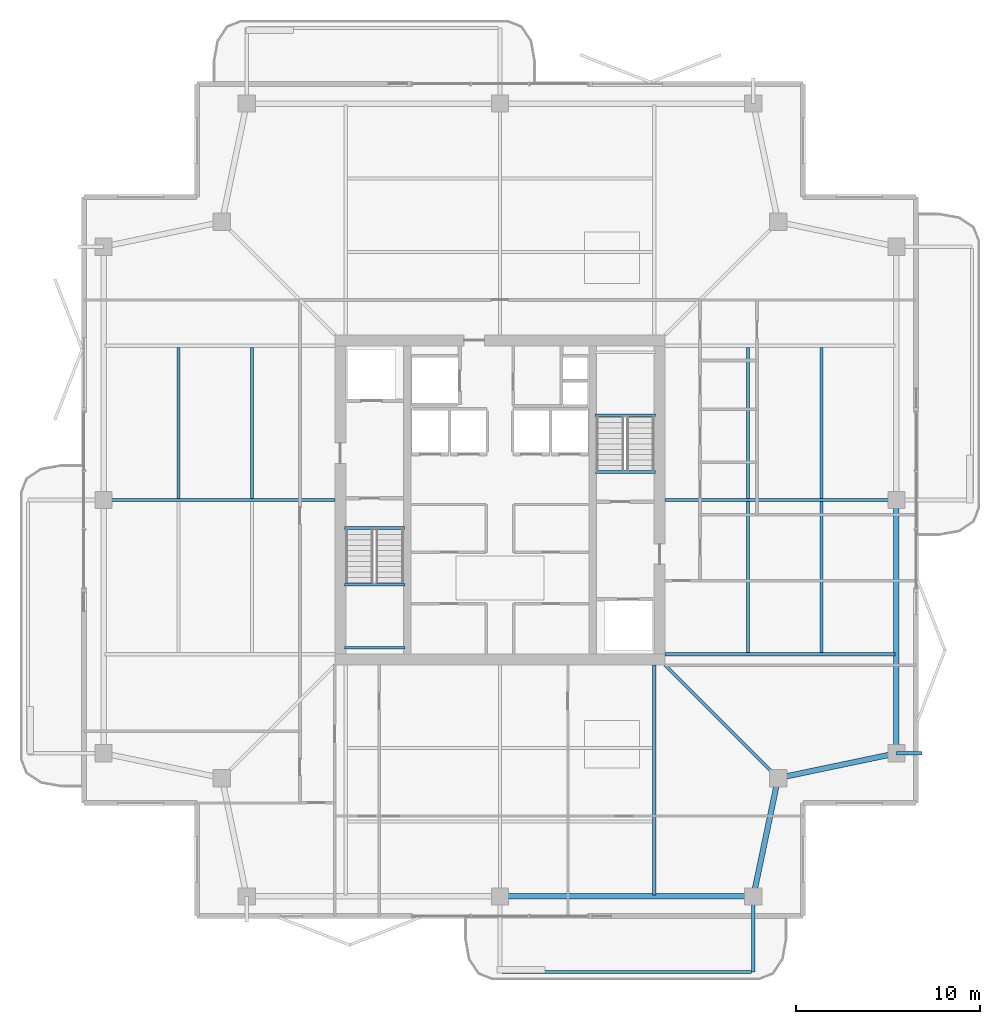
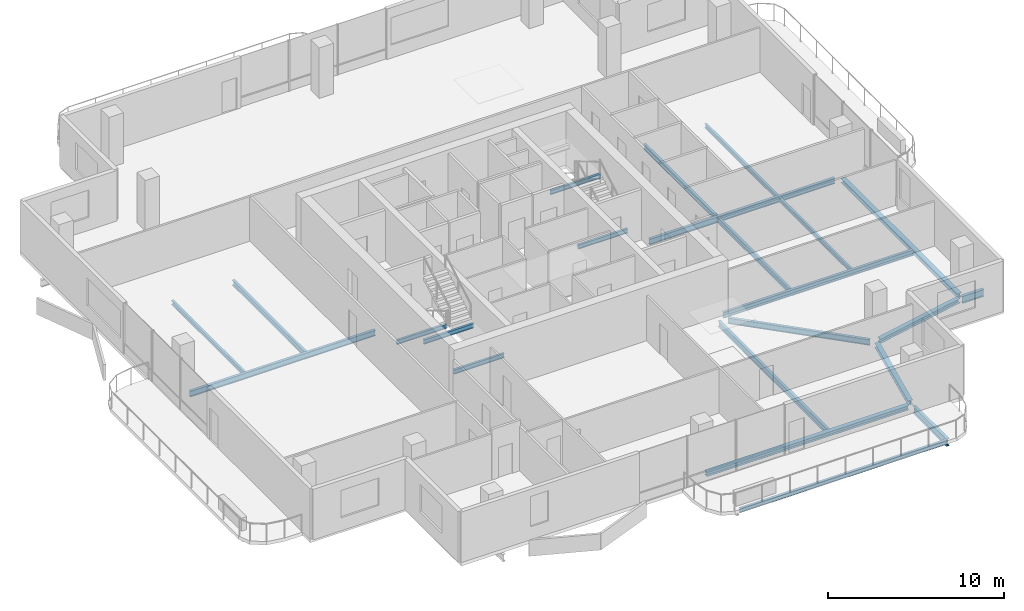
# One storey, part 7 of 18: 23 beams.
"""IFC4 building model written with IfcOpenShell, lengths in metres."""

from ifc_helpers import new_model, si_unit, direction, frame, origin, origin_2d, place, context, subcontext, project, spatial, i_section, extrude, material, material_profile, profile_set, type_object, element, save


model = new_model("IFC4")

# Units and contexts
model_context = context("Model", 3, precision=1e-05, world=origin(), true_north=direction((0.0, 1.0)))
body_context = subcontext(model_context, "Body", "Model", "MODEL_VIEW")
ifc_project = project(units=[si_unit("LENGTHUNIT", "METRE"), si_unit("AREAUNIT", "SQUARE_METRE"), si_unit("VOLUMEUNIT", "CUBIC_METRE"), si_unit("PLANEANGLEUNIT", "RADIAN"), si_unit("MASSUNIT", "GRAM", prefix="KILO")], contexts=[model_context])

# Site, building, storey
site_placement = place(None, origin())
site = spatial("IfcSite", under=ifc_project, at=site_placement, CompositionType="ELEMENT")
building_placement = place(site_placement, origin())
building = spatial("IfcBuilding", under=site, at=building_placement, Name="Belovzor Exchange Tower", CompositionType="ELEMENT")
storey_placement = place(building_placement, frame((0.0, 0.0, 310.5)))
storey = spatial("IfcBuildingStorey", under=building, at=storey_placement, Name="L77", CompositionType="ELEMENT", Elevation=310.5)

# Beams
ifc_material_1 = material(Name="Steel S355", Category="steel")
ifc_material_profile_1 = material_profile(ifc_material_1, i_section(OverallWidth=0.199951171875, OverallDepth=0.5, WebThickness=0.01025390625, FlangeThickness=0.01611328125, at=origin_2d()))
ifc_profile_set_1 = profile_set([ifc_material_profile_1], Name="Steel S355")
beam_type_1 = type_object("IfcBeamType", Name="Planted Balcony Cantilever Beam IPE 500", PredefinedType="BEAM", material=ifc_profile_set_1)
beam_1_placement = place(storey_placement, frame((42.60009765625, 6.93896484375, -0.489990234375), z_axis=(0.0, -1.0, 0.0), x_axis=(1.0, 0.0, 0.0)))
element("IfcBeam", 1, at=beam_1_placement, inside=storey, type_object=beam_type_1, Name="BC-500 Planted Balcony Cantilever Beam IPE 500", PredefinedType="BEAM", context=body_context, shape_type="SweptSolid", body=[
    extrude(i_section(OverallWidth=0.199951171875, OverallDepth=0.5, WebThickness=0.01025390625, FlangeThickness=0.01611328125, at=origin_2d()), origin(), (0.0, 0.0, 1.0), 3.849853515625),
])
beam_2_placement = place(storey_placement, frame((50.39990234375, 15.0, -0.489990234375), z_axis=(1.0, 0.0, 0.0), x_axis=(0.0, 1.0, 0.0)))
element("IfcBeam", 2, at=beam_2_placement, inside=storey, type_object=beam_type_1, Name="BC-500 Planted Balcony Cantilever Beam IPE 500", PredefinedType="BEAM", context=body_context, shape_type="SweptSolid", body=[
    extrude(i_section(OverallWidth=0.199951171875, OverallDepth=0.5, WebThickness=0.01025390625, FlangeThickness=0.01611328125, at=origin_2d()), origin(), (0.0, 0.0, 1.0), 1.400146484375),
])
ifc_material_2 = material(Name="Steel S355", Category="steel")
ifc_material_profile_2 = material_profile(ifc_material_2, i_section(OverallWidth=0.14990234375, OverallDepth=0.300048828125, WebThickness=0.007080078125, FlangeThickness=0.0107421875, at=origin_2d()))
ifc_profile_set_2 = profile_set([ifc_material_profile_2], Name="Steel S355")
beam_type_2 = type_object("IfcBeamType", Name="Planted Balcony Fascia Edge Beam IPE 300", PredefinedType="BEAM", material=ifc_profile_set_2)
beam_3_placement = place(storey_placement, frame((28.89990234375, 3.089111328125, -0.389892578125), z_axis=(1.0, 0.0, 0.0), x_axis=(0.0, 1.0, 0.0)))
element("IfcBeam", 3, at=beam_3_placement, inside=storey, type_object=beam_type_2, Name="BC-300 Planted Balcony Fascia Edge Beam IPE 300", PredefinedType="BEAM", context=body_context, shape_type="SweptSolid", body=[
    extrude(i_section(OverallWidth=0.14990234375, OverallDepth=0.300048828125, WebThickness=0.007080078125, FlangeThickness=0.0107421875, at=origin_2d()), origin(), (0.0, 0.0, 1.0), 13.60009765625),
])
ifc_material_3 = material(Name="Steel S355", Category="steel")
ifc_material_profile_3 = material_profile(ifc_material_3, i_section(OverallWidth=0.169921875, OverallDepth=0.360107421875, WebThickness=0.008056640625, FlangeThickness=0.0126953125, at=origin_2d()))
ifc_profile_set_3 = profile_set([ifc_material_profile_3], Name="Steel S355")
beam_type_3 = type_object("IfcBeamType", Name="Secondary Infill Floor Joist IPE 360", PredefinedType="BEAM", material=ifc_profile_set_3)
beam_4_placement = place(storey_placement, frame((15.291015625, 28.889892578125, -0.419921875), z_axis=(0.0, 1.0, 0.0), x_axis=(-1.0, 0.0, 0.0)))
element("IfcBeam", 4, at=beam_4_placement, inside=storey, type_object=beam_type_3, Name="FJ-360 Secondary Infill Floor Joist IPE 360", PredefinedType="BEAM", context=body_context, shape_type="SweptSolid", body=[
    extrude(i_section(OverallWidth=0.169921875, OverallDepth=0.360107421875, WebThickness=0.008056640625, FlangeThickness=0.0126953125, at=origin_2d()), origin(), (0.0, 0.0, 1.0), 8.22021484375),
])
beam_5_placement = place(storey_placement, frame((42.30908203125, 20.489990234375, -0.419921875), z_axis=(0.0, 1.0, 0.0), x_axis=(-1.0, 0.0, 0.0)))
element("IfcBeam", 5, at=beam_5_placement, inside=storey, type_object=beam_type_3, Name="FJ-360 Secondary Infill Floor Joist IPE 360", PredefinedType="BEAM", context=body_context, shape_type="SweptSolid", body=[
    extrude(i_section(OverallWidth=0.169921875, OverallDepth=0.360107421875, WebThickness=0.008056640625, FlangeThickness=0.0126953125, at=origin_2d()), origin(), (0.0, 0.0, 1.0), 8.219970703125),
])
beam_6_placement = place(storey_placement, frame((42.30908203125, 28.889892578125, -0.419921875), z_axis=(0.0, 1.0, 0.0), x_axis=(-1.0, 0.0, 0.0)))
element("IfcBeam", 6, at=beam_6_placement, inside=storey, type_object=beam_type_3, Name="FJ-360 Secondary Infill Floor Joist IPE 360", PredefinedType="BEAM", context=body_context, shape_type="SweptSolid", body=[
    extrude(i_section(OverallWidth=0.169921875, OverallDepth=0.360107421875, WebThickness=0.008056640625, FlangeThickness=0.0126953125, at=origin_2d()), origin(), (0.0, 0.0, 1.0), 8.22021484375),
])
ifc_material_4 = material(Name="Steel S355", Category="steel")
ifc_material_profile_4 = material_profile(ifc_material_4, i_section(OverallWidth=0.14990234375, OverallDepth=0.300048828125, WebThickness=0.007080078125, FlangeThickness=0.0107421875, at=origin_2d()))
ifc_profile_set_4 = profile_set([ifc_material_profile_4], Name="Steel S355")
beam_type_4 = type_object("IfcBeamType", Name="Secondary Trim Floor Joist IPE 300", PredefinedType="BEAM", material=ifc_profile_set_4)
for number, where, z_axis, x_axis, name in (
    (7, (20.320068359375, 24.179931640625, 1.52490234375), (1.0, 0.0, 0.0), (0.0, 1.0, 0.0), "FJ-300 Secondary Trim Floor Joist IPE 300"),
    (8, (20.320068359375, 20.75, 1.52490234375), (1.0, 0.0, 0.0), (0.0, 1.0, 0.0), "FJ-300 Secondary Trim Floor Joist IPE 300"),
):
    element("IfcBeam", number, at=place(storey_placement, frame(where, z_axis=z_axis, x_axis=x_axis)), inside=storey, type_object=beam_type_4, Name=name, PredefinedType="BEAM", context=body_context, shape_type="SweptSolid", body=[
        extrude(i_section(OverallWidth=0.14990234375, OverallDepth=0.300048828125, WebThickness=0.007080078125, FlangeThickness=0.0107421875, at=origin_2d()), origin(), (0.0, 0.0, 1.0), 3.309814453125),
    ])
beam_7_placement = place(storey_placement, frame((20.340087890625, 27.280029296875, -0.389892578125), z_axis=(1.0, 0.0, 0.0), x_axis=(0.0, 1.0, 0.0)))
element("IfcBeam", 9, at=beam_7_placement, inside=storey, type_object=beam_type_4, Name="FJ-300 Secondary Trim Floor Joist IPE 300", PredefinedType="BEAM", context=body_context, shape_type="SweptSolid", body=[
    extrude(i_section(OverallWidth=0.14990234375, OverallDepth=0.300048828125, WebThickness=0.007080078125, FlangeThickness=0.0107421875, at=origin_2d()), origin(), (0.0, 0.0, 1.0), 3.27001953125),
])
beam_8_placement = place(storey_placement, frame((37.280029296875, 33.419921875, 1.52490234375), z_axis=(-1.0, 0.0, 0.0), x_axis=(0.0, -1.0, 0.0)))
element("IfcBeam", 10, at=beam_8_placement, inside=storey, type_object=beam_type_4, Name="FJ-300 Secondary Trim Floor Joist IPE 300", PredefinedType="BEAM", context=body_context, shape_type="SweptSolid", body=[
    extrude(i_section(OverallWidth=0.14990234375, OverallDepth=0.300048828125, WebThickness=0.007080078125, FlangeThickness=0.0107421875, at=origin_2d()), origin(), (0.0, 0.0, 1.0), 3.31005859375),
])
beam_9_placement = place(storey_placement, frame((37.260009765625, 30.320068359375, -0.389892578125), z_axis=(-1.0, 0.0, 0.0), x_axis=(0.0, -1.0, 0.0)))
element("IfcBeam", 11, at=beam_9_placement, inside=storey, type_object=beam_type_4, Name="FJ-300 Secondary Trim Floor Joist IPE 300", PredefinedType="BEAM", context=body_context, shape_type="SweptSolid", body=[
    extrude(i_section(OverallWidth=0.14990234375, OverallDepth=0.300048828125, WebThickness=0.007080078125, FlangeThickness=0.0107421875, at=origin_2d()), origin(), (0.0, 0.0, 1.0), 3.27001953125),
])
beam_10_placement = place(storey_placement, frame((11.282958984375, 28.889892578125, -0.389892578125), z_axis=(0.0, 1.0, 0.0), x_axis=(-1.0, 0.0, 0.0)))
element("IfcBeam", 12, at=beam_10_placement, inside=storey, type_object=beam_type_4, Name="FJ-300 Secondary Trim Floor Joist IPE 300", PredefinedType="BEAM", context=body_context, shape_type="SweptSolid", body=[
    extrude(i_section(OverallWidth=0.14990234375, OverallDepth=0.300048828125, WebThickness=0.007080078125, FlangeThickness=0.0107421875, at=origin_2d()), origin(), (0.0, 0.0, 1.0), 8.22021484375),
])
beam_11_placement = place(storey_placement, frame((46.31689453125, 20.489990234375, -0.389892578125), z_axis=(0.0, 1.0, 0.0), x_axis=(-1.0, 0.0, 0.0)))
element("IfcBeam", 13, at=beam_11_placement, inside=storey, type_object=beam_type_4, Name="FJ-300 Secondary Trim Floor Joist IPE 300", PredefinedType="BEAM", context=body_context, shape_type="SweptSolid", body=[
    extrude(i_section(OverallWidth=0.14990234375, OverallDepth=0.300048828125, WebThickness=0.007080078125, FlangeThickness=0.0107421875, at=origin_2d()), origin(), (0.0, 0.0, 1.0), 8.219970703125),
])
beam_12_placement = place(storey_placement, frame((46.31689453125, 28.889892578125, -0.389892578125), z_axis=(0.0, 1.0, 0.0), x_axis=(-1.0, 0.0, 0.0)))
element("IfcBeam", 14, at=beam_12_placement, inside=storey, type_object=beam_type_4, Name="FJ-300 Secondary Trim Floor Joist IPE 300", PredefinedType="BEAM", context=body_context, shape_type="SweptSolid", body=[
    extrude(i_section(OverallWidth=0.14990234375, OverallDepth=0.300048828125, WebThickness=0.007080078125, FlangeThickness=0.0107421875, at=origin_2d()), origin(), (0.0, 0.0, 1.0), 8.22021484375),
])
ifc_material_5 = material(Name="Steel S355", Category="steel")
ifc_material_profile_5 = material_profile(ifc_material_5, i_section(OverallWidth=0.179931640625, OverallDepth=0.39990234375, WebThickness=0.008544921875, FlangeThickness=0.013427734375, at=origin_2d()))
ifc_profile_set_5 = profile_set([ifc_material_profile_5], Name="Steel S355")
beam_type_5 = type_object("IfcBeamType", Name="Zone 5-6 Radial Composite Floor Beam IPE 400", PredefinedType="BEAM", material=ifc_profile_set_5)
beam_13_placement = place(storey_placement, frame((37.199951171875, 19.800048828125, -0.43994140625), z_axis=(0.0, -1.0, 0.0), x_axis=(1.0, 0.0, 0.0)))
element("IfcBeam", 15, at=beam_13_placement, inside=storey, type_object=beam_type_5, Name="FB-400 Zone 5-6 Radial Composite Floor Beam IPE 400", PredefinedType="BEAM", context=body_context, shape_type="SweptSolid", body=[
    extrude(i_section(OverallWidth=0.179931640625, OverallDepth=0.39990234375, WebThickness=0.008544921875, FlangeThickness=0.013427734375, at=origin_2d()), origin(), (0.0, 0.0, 1.0), 12.525146484375),
])
beam_14_placement = place(storey_placement, frame((19.800048828125, 28.800048828125, -0.43994140625), z_axis=(-1.0, 0.0, 0.0), x_axis=(0.0, -1.0, 0.0)))
element("IfcBeam", 16, at=beam_14_placement, inside=storey, type_object=beam_type_5, Name="FB-400 Zone 5-6 Radial Composite Floor Beam IPE 400", PredefinedType="BEAM", context=body_context, shape_type="SweptSolid", body=[
    extrude(i_section(OverallWidth=0.179931640625, OverallDepth=0.39990234375, WebThickness=0.008544921875, FlangeThickness=0.013427734375, at=origin_2d()), origin(), (0.0, 0.0, 1.0), 12.18212890625),
])
beam_15_placement = place(storey_placement, frame((37.800048828125, 20.39990234375, -0.43994140625), z_axis=(1.0, 0.0, 0.0), x_axis=(0.0, 1.0, 0.0)))
element("IfcBeam", 17, at=beam_15_placement, inside=storey, type_object=beam_type_5, Name="FB-400 Zone 5-6 Radial Composite Floor Beam IPE 400", PredefinedType="BEAM", context=body_context, shape_type="SweptSolid", body=[
    extrude(i_section(OverallWidth=0.179931640625, OverallDepth=0.39990234375, WebThickness=0.008544921875, FlangeThickness=0.013427734375, at=origin_2d()), origin(), (0.0, 0.0, 1.0), 12.52490234375),
])
beam_16_placement = place(storey_placement, frame((37.800048828125, 28.800048828125, -0.43994140625), z_axis=(1.0, 0.0, 0.0), x_axis=(0.0, 1.0, 0.0)))
element("IfcBeam", 18, at=beam_16_placement, inside=storey, type_object=beam_type_5, Name="FB-400 Zone 5-6 Radial Composite Floor Beam IPE 400", PredefinedType="BEAM", context=body_context, shape_type="SweptSolid", body=[
    extrude(i_section(OverallWidth=0.179931640625, OverallDepth=0.39990234375, WebThickness=0.008544921875, FlangeThickness=0.013427734375, at=origin_2d()), origin(), (0.0, 0.0, 1.0), 12.181884765625),
])
beam_17_placement = place(storey_placement, frame((37.800048828125, 19.800048828125, -0.43994140625), z_axis=(0.707150577091, -0.707062982569, 0.0), x_axis=(0.707062982569, 0.707150577091, 0.0)))
element("IfcBeam", 19, at=beam_17_placement, inside=storey, type_object=beam_type_5, Name="FB-400 Zone 5-6 Radial Composite Floor Beam IPE 400", PredefinedType="BEAM", context=body_context, shape_type="SweptSolid", body=[
    extrude(i_section(OverallWidth=0.179931640625, OverallDepth=0.39990234375, WebThickness=0.008544921875, FlangeThickness=0.013427734375, at=origin_2d()), origin(), (0.0, 0.0, 1.0), 8.361572265625),
])
ifc_material_6 = material(Name="Steel S355", Category="steel")
ifc_material_profile_6 = material_profile(ifc_material_6, i_section(OverallWidth=0.300048828125, OverallDepth=0.300048828125, WebThickness=0.008544921875, FlangeThickness=0.013916015625, at=origin_2d()))
ifc_profile_set_6 = profile_set([ifc_material_profile_6], Name="Steel S355")
beam_type_6 = type_object("IfcBeamType", Name="Zone 6 Primary Girder HEA 300", PredefinedType="BEAM", material=ifc_profile_set_6)
beam_18_placement = place(storey_placement, frame((29.06103515625, 7.199951171875, -0.389892578125), z_axis=(1.0, 0.0, 0.0), x_axis=(0.0, 1.0, 0.0)))
element("IfcBeam", 20, at=beam_18_placement, inside=storey, type_object=beam_type_6, Name="FG-Z6 Zone 6 Primary Girder HEA 300", PredefinedType="BEAM", context=body_context, shape_type="SweptSolid", body=[
    extrude(i_section(OverallWidth=0.300048828125, OverallDepth=0.300048828125, WebThickness=0.008544921875, FlangeThickness=0.013916015625, at=origin_2d()), origin(), (0.0, 0.0, 1.0), 13.278076171875),
])
for number, where, z_axis, x_axis, name in (
    (21, (42.654052734375, 7.4560546875, -0.389892578125), (0.204722380619, 0.978820078908, 0.0), (-0.978820078908, 0.204722380619, 0.0), "FG-Z6 Zone 6 Primary Girder HEA 300"),
    (22, (44.2060546875, 13.7041015625, -0.389892578125), (0.978820078908, 0.204722380619, 0.0), (-0.204722380619, 0.978820078908, 0.0), "FG-Z6 Zone 6 Primary Girder HEA 300"),
):
    element("IfcBeam", number, at=place(storey_placement, frame(where, z_axis=z_axis, x_axis=x_axis)), inside=storey, type_object=beam_type_6, Name=name, PredefinedType="BEAM", context=body_context, shape_type="SweptSolid", body=[
        extrude(i_section(OverallWidth=0.300048828125, OverallDepth=0.300048828125, WebThickness=0.008544921875, FlangeThickness=0.013916015625, at=origin_2d()), origin(), (0.0, 0.0, 1.0), 6.06640625),
    ])
beam_19_placement = place(storey_placement, frame((50.39990234375, 15.260986328125, -0.389892578125), z_axis=(0.0, 1.0, 0.0), x_axis=(-1.0, 0.0, 0.0)))
element("IfcBeam", 23, at=beam_19_placement, inside=storey, type_object=beam_type_6, Name="FG-Z6 Zone 6 Primary Girder HEA 300", PredefinedType="BEAM", context=body_context, shape_type="SweptSolid", body=[
    extrude(i_section(OverallWidth=0.300048828125, OverallDepth=0.300048828125, WebThickness=0.008544921875, FlangeThickness=0.013916015625, at=origin_2d()), origin(), (0.0, 0.0, 1.0), 13.278076171875),
])

save(model, "model.ifc")
